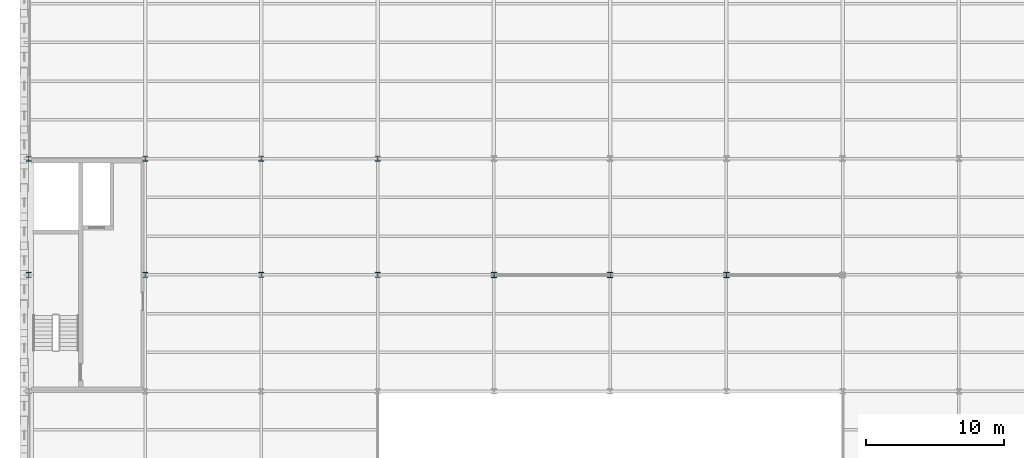
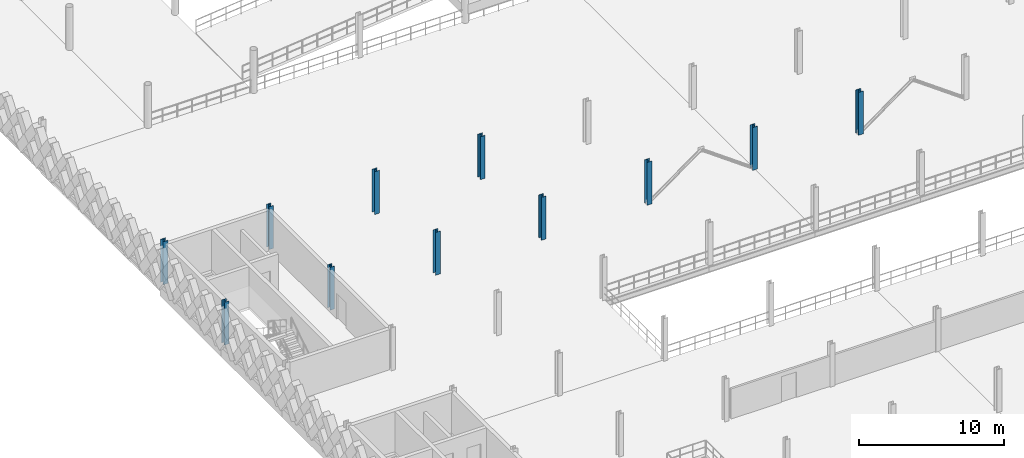
# One storey, part 9 of 79: 11 columns.
"""IFC4 building model written with IfcOpenShell, lengths in metres."""

from ifc_helpers import new_model, si_unit, direction, frame, origin, origin_2d, place, context, subcontext, project, spatial, i_section, extrude, material, material_profile, profile_set, type_object, element, save


model = new_model("IFC4")

# Units and contexts
model_context = context("Model", 3, precision=1e-05, world=origin(), true_north=direction((0.0, 1.0)))
body_context = subcontext(model_context, "Body", "Model", "MODEL_VIEW")
ifc_project = project(units=[si_unit("LENGTHUNIT", "METRE"), si_unit("AREAUNIT", "SQUARE_METRE"), si_unit("VOLUMEUNIT", "CUBIC_METRE"), si_unit("PLANEANGLEUNIT", "RADIAN"), si_unit("MASSUNIT", "GRAM", prefix="KILO"), si_unit("THERMODYNAMICTEMPERATUREUNIT", "KELVIN"), si_unit("POWERUNIT", "WATT")], contexts=[model_context])

# Site, building, storey
site_placement = place(None, origin())
site = spatial("IfcSite", under=ifc_project, at=site_placement, CompositionType="ELEMENT")
building_placement = place(site_placement, origin())
building = spatial("IfcBuilding", under=site, at=building_placement, Name="Tembeka Court Mobility Hub", CompositionType="ELEMENT")
storey_placement = place(building_placement, frame((0.0, 0.0, 9.0)))
storey = spatial("IfcBuildingStorey", under=building, at=storey_placement, Name="L02", CompositionType="ELEMENT", Elevation=9.0)

# Columns
ifc_material = material(Name="Steel S355", Category="steel")
ifc_material_profile_1 = material_profile(ifc_material, i_section(OverallWidth=0.39501953125, OverallDepth=0.381103515625, WebThickness=0.018310546875, FlangeThickness=0.0302734375, FilletRadius=0.01513671875, at=origin_2d()), Name="UKC 356x406x235")
ifc_profile_set_1 = profile_set([ifc_material_profile_1], Name="Steel S355")
column_type_1 = type_object("IfcColumnType", Name="COL-C02", PredefinedType="COLUMN", material=ifc_profile_set_1)
for number, where, z_axis, x_axis, name in (
    (1, (33.60009765625, 72.0, 0.0), (0.0, 0.0, 1.0), (1.0, 0.0, 0.0), "Column C02 (L02-054)"),
    (2, (42.0, 72.0, 0.0), (0.0, 0.0, 1.0), (1.0, 0.0, 0.0), "Column C02 (L02-066)"),
    (3, (50.39990234375, 72.0, 0.0), (0.0, 0.0, 1.0), (1.0, 0.0, 0.0), "Column C02 (L02-078)"),
):
    element("IfcColumn", number, at=place(storey_placement, frame(where, z_axis=z_axis, x_axis=x_axis)), inside=storey, type_object=column_type_1, Name=name, PredefinedType="COLUMN", context=body_context, shape_type="SweptSolid", body=[
        extrude(i_section(OverallWidth=0.39501953125, OverallDepth=0.381103515625, WebThickness=0.018310546875, FlangeThickness=0.0302734375, FilletRadius=0.01513671875, at=origin_2d()), origin(), (0.0, 0.0, 1.0), 3.60009765625),
    ])
ifc_material_profile_2 = material_profile(ifc_material, i_section(OverallWidth=0.373046875, OverallDepth=0.367919921875, WebThickness=0.014404296875, FlangeThickness=0.023681640625, FilletRadius=0.01513671875, at=origin_2d()), Name="UKC 356x368x177")
ifc_profile_set_2 = profile_set([ifc_material_profile_2], Name="Steel S355")
column_type_2 = type_object("IfcColumnType", Name="COL-C03", PredefinedType="COLUMN", material=ifc_profile_set_2)
for number, where, z_axis, x_axis, name in (
    (4, (0.0, 72.0, 0.0), (0.0, 0.0, 1.0), (1.0, 0.0, 0.0), "Column C03 (L02-008)"),
    (5, (0.0, 80.39990234375, 0.0), (0.0, 0.0, 1.0), (1.0, 0.0, 0.0), "Column C03 (L02-009)"),
    (6, (8.39990234375, 72.0, 0.0), (0.0, 0.0, 1.0), (1.0, 0.0, 0.0), "Column C03 (L02-020)"),
    (7, (8.39990234375, 80.39990234375, 0.0), (0.0, 0.0, 1.0), (1.0, 0.0, 0.0), "Column C03 (L02-021)"),
    (8, (16.800048828125, 72.0, 0.0), (0.0, 0.0, 1.0), (1.0, 0.0, 0.0), "Column C03 (L02-032)"),
    (9, (16.800048828125, 80.39990234375, 0.0), (0.0, 0.0, 1.0), (1.0, 0.0, 0.0), "Column C03 (L02-033)"),
    (10, (25.199951171875, 72.0, 0.0), (0.0, 0.0, 1.0), (1.0, 0.0, 0.0), "Column C03 (L02-043)"),
    (11, (25.199951171875, 80.39990234375, 0.0), (0.0, 0.0, 1.0), (1.0, 0.0, 0.0), "Column C03 (L02-044)"),
):
    element("IfcColumn", number, at=place(storey_placement, frame(where, z_axis=z_axis, x_axis=x_axis)), inside=storey, type_object=column_type_2, Name=name, PredefinedType="COLUMN", context=body_context, shape_type="SweptSolid", body=[
        extrude(i_section(OverallWidth=0.373046875, OverallDepth=0.367919921875, WebThickness=0.014404296875, FlangeThickness=0.023681640625, FilletRadius=0.01513671875, at=origin_2d()), origin(), (0.0, 0.0, 1.0), 3.60009765625),
    ])

save(model, "model.ifc")
